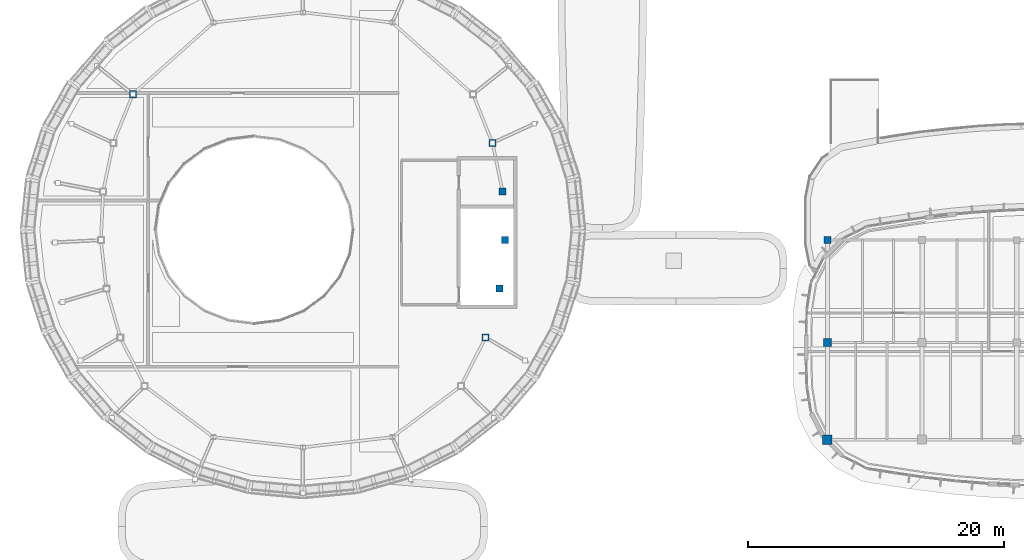
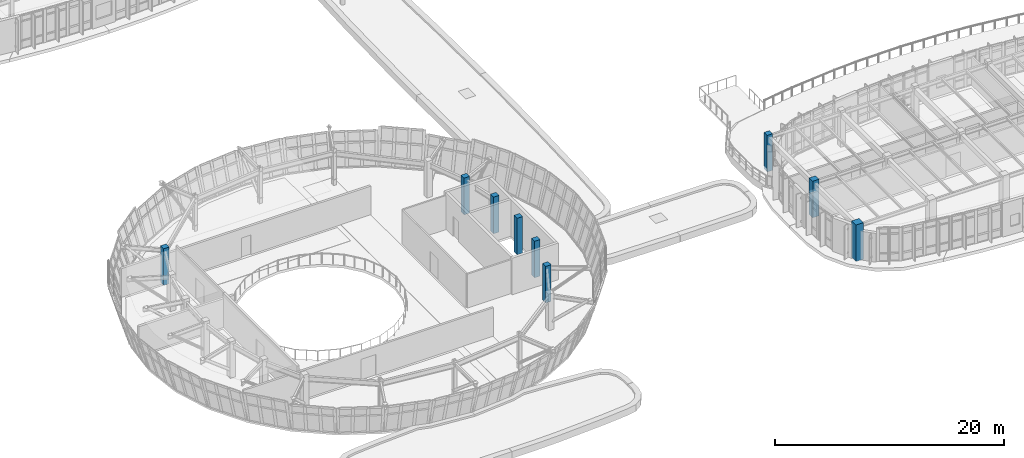
# One storey, part 2 of 111: 9 columns.
"""IFC4 building model written with IfcOpenShell, lengths in metres."""

import ifcopenshell
import ifcopenshell.guid

model = None  # the IFC model being written
_history = None  # IfcOwnerHistory: only IFC2X3 demands one
_inside = {}  # id of a spatial element -> (the spatial element, [elements in it])
_under = {}  # id of a project, library or spatial element -> (it, [spatial elements below it])
_declared = {}  # id of a project -> (the project, [libraries it declares])
_typed = {}  # id of a type object -> (the type object, [elements of that type])
_made_of = {}  # id of a material, layer set ... -> (it, [elements and type objects made of it])


def new_model(schema):
    """Start an empty IFC model of exactly this schema.

    Asked for "IFC4X3", IfcOpenShell would pick the latest addendum, in which some entities
    have other attributes; the version numbers below select the first issue.
    IFC2X3 requires an IfcOwnerHistory on every rooted entity: one is made here for all.
    """
    global model, _history
    if schema == "IFC4X3":
        model = ifcopenshell.file(schema_version=(4, 3, 0, 0))
    else:
        model = ifcopenshell.file(schema=schema)
    _inside.clear()
    _under.clear()
    _declared.clear()
    _typed.clear()
    _made_of.clear()
    _history = None
    if model.schema == "IFC2X3":
        org = make("IfcOrganization", Name="unknown")
        user = make(
            "IfcPersonAndOrganization",
            ThePerson=make("IfcPerson", FamilyName="unknown"),
            TheOrganization=org,
        )
        app = make(
            "IfcApplication",
            ApplicationDeveloper=org,
            Version="unknown",
            ApplicationFullName="unknown",
            ApplicationIdentifier="unknown",
        )
        _history = make(
            "IfcOwnerHistory",
            OwningUser=user,
            OwningApplication=app,
            ChangeAction="ADDED",
            CreationDate=0,
        )
    return model


def make(cls, **values):
    """One entity of the class cls with the attributes given. An attribute that is None is left unset."""
    return model.create_entity(
        cls, **{name: value for name, value in values.items() if value is not None}
    )


def rooted(cls, **values):
    """An entity with a GlobalId (a new one), such as an element, a storey or a relation."""
    return make(cls, GlobalId=ifcopenshell.guid.new(), OwnerHistory=_history, **values)


def si_unit(unit_type, name, prefix=None):
    """IfcSIUnit, for example si_unit("LENGTHUNIT", "METRE", prefix="MILLI")."""
    return make("IfcSIUnit", UnitType=unit_type, Prefix=prefix, Name=name)


def assignment(units):
    """IfcUnitAssignment: the units of a project."""
    return None if units is None else make("IfcUnitAssignment", Units=units)


def point(xyz):
    """IfcCartesianPoint."""
    return None if xyz is None else make("IfcCartesianPoint", Coordinates=xyz)


def direction(xyz):
    """IfcDirection."""
    return None if xyz is None else make("IfcDirection", DirectionRatios=xyz)


def frame(location, z_axis=None, x_axis=None):
    """IfcAxis2Placement3D, a coordinate frame: its origin and axes. An axis left out is left unset."""
    return make(
        "IfcAxis2Placement3D",
        Location=point(location),
        Axis=direction(z_axis),
        RefDirection=direction(x_axis),
    )


def frame_2d(location, x_axis=None):
    """IfcAxis2Placement2D, a coordinate frame in the plane: its origin and x axis."""
    return make(
        "IfcAxis2Placement2D", Location=point(location), RefDirection=direction(x_axis)
    )


def origin():
    """The frame at (0, 0, 0) with its axes left unset."""
    return frame((0.0, 0.0, 0.0))


def origin_2d():
    """The frame at (0, 0) in the plane with its x axis left unset."""
    return frame_2d((0.0, 0.0))


def place(relative_to, where):
    """IfcLocalPlacement: puts the frame where relative to a parent placement (None: the world)."""
    return make(
        "IfcLocalPlacement", PlacementRelTo=relative_to, RelativePlacement=where
    )


def context(
    kind, dimensions, precision=None, world=None, true_north=None, identifier=None
):
    """IfcGeometricRepresentationContext, for example the 3D "Model" context."""
    return make(
        "IfcGeometricRepresentationContext",
        ContextIdentifier=identifier,
        ContextType=kind,
        CoordinateSpaceDimension=dimensions,
        Precision=precision,
        WorldCoordinateSystem=world,
        TrueNorth=true_north,
    )


def subcontext(parent, identifier, kind, view, scale=None):
    """IfcGeometricRepresentationSubContext, for example "Body" below "Model"."""
    return make(
        "IfcGeometricRepresentationSubContext",
        ContextIdentifier=identifier,
        ContextType=kind,
        ParentContext=parent,
        TargetScale=scale,
        TargetView=view,
    )


def project(units=None, contexts=None):
    """IfcProject with its units and contexts."""
    return rooted(
        "IfcProject",
        Name="project",
        RepresentationContexts=contexts,
        UnitsInContext=assignment(units),
    )


def spatial(cls, under=None, at=None, **own):
    """A site, building, storey or space (cls), placed at a placement, below another one or the project."""
    s = rooted(cls, ObjectPlacement=at, **own)
    if under is not None:
        _under.setdefault(under.id(), (under, []))[1].append(s)
    return s


def profile(cls, at=None, kind="AREA", **sizes):
    """A parametric profile (cls). Its sizes go by their IFC names, for example OverallWidth=200.0."""
    return make(cls, ProfileType=kind, Position=at, **sizes)


def rectangle(**sizes):
    """IfcRectangleProfileDef."""
    return profile("IfcRectangleProfileDef", **sizes)


def extrude(swept, where, along, depth):
    """IfcExtrudedAreaSolid: the profile swept, set in the frame where, extruded along a direction by depth."""
    return make(
        "IfcExtrudedAreaSolid",
        SweptArea=swept,
        Position=where,
        ExtrudedDirection=direction(along),
        Depth=depth,
    )


def shape(context_of_items, identifier, shape_type, items):
    """IfcShapeRepresentation: the items that make up one representation, for example the "Body"."""
    return make(
        "IfcShapeRepresentation",
        ContextOfItems=context_of_items,
        RepresentationIdentifier=identifier,
        RepresentationType=shape_type,
        Items=items,
    )


def material(Name=None, Category=None):
    """IfcMaterial."""
    return make("IfcMaterial", Name=Name, Category=Category)


def material_profile(
    of_material, cross_section, Name=None, Category=None, Priority=None
):
    """IfcMaterialProfile: a cross section and its material."""
    return make(
        "IfcMaterialProfile",
        Name=Name,
        Material=of_material,
        Profile=cross_section,
        Priority=Priority,
        Category=Category,
    )


def profile_set(profiles, Name=None, composite=None):
    """IfcMaterialProfileSet."""
    return make(
        "IfcMaterialProfileSet",
        Name=Name,
        MaterialProfiles=profiles,
        CompositeProfile=composite,
    )


def made_of(thing, what):
    """Note that an element or type object is made of a material, layer set ...; save() writes the relation."""
    if what is not None:
        _made_of.setdefault(what.id(), (what, []))[1].append(thing)
    return thing


def type_object(cls, material=None, **own):
    """A type object (cls), such as IfcWallType, which elements share."""
    return made_of(rooted(cls, **own), material)


def element(
    cls,
    number,
    at=None,
    inside=None,
    cuts=None,
    type_object=None,
    material=None,
    context=None,
    identifier="Body",
    shape_type=None,
    held_by="IfcProductDefinitionShape",
    body=None,
    shapes=None,
    **own,
):
    """One element of the class cls, such as IfcWall. Its Tag is "e" and its number.

    at: its placement. inside: the storey or other place that contains it. cuts: it is an
    opening in that element (IfcRelVoidsElement). A single representation is given by context,
    identifier, shape_type and body (its items); several are given by shapes. held_by: the class
    of the entity that holds the representations. save() writes the other relations.
    """
    e = rooted(cls, Tag="e%d" % number, ObjectPlacement=at, **own)
    if body is not None:
        shapes = [shape(context, identifier, shape_type, body)]
    if shapes is not None:
        e.Representation = make(held_by, Representations=shapes)
    if inside is not None:
        _inside.setdefault(inside.id(), (inside, []))[1].append(e)
    if cuts is not None:
        rooted(
            "IfcRelVoidsElement", RelatingBuildingElement=cuts, RelatedOpeningElement=e
        )
    if type_object is not None:
        _typed.setdefault(type_object.id(), (type_object, []))[1].append(e)
    return made_of(e, material)


def aggregate(whole, parts):
    """IfcRelAggregates: a whole, such as a stair, and the parts it consists of."""
    return rooted("IfcRelAggregates", RelatingObject=whole, RelatedObjects=parts)


def save(model, path):
    """Write the relations noted so far, then the file.

    IfcRelAggregates (storeys below a building ...), IfcRelContainedInSpatialStructure (elements
    in a storey), IfcRelDefinesByType, IfcRelAssociatesMaterial and IfcRelDeclares: one each for
    every whole, place, type object, material and project.
    """
    for whole, parts in _under.values():
        aggregate(whole, parts)
    for where, things in _inside.values():
        rooted(
            "IfcRelContainedInSpatialStructure",
            RelatedElements=things,
            RelatingStructure=where,
        )
    for kind, things in _typed.values():
        rooted("IfcRelDefinesByType", RelatedObjects=things, RelatingType=kind)
    for what, things in _made_of.values():
        rooted("IfcRelAssociatesMaterial", RelatedObjects=things, RelatingMaterial=what)
    for by, libraries in _declared.values():
        rooted("IfcRelDeclares", RelatingContext=by, RelatedDefinitions=libraries)
    model.write(path)


model = new_model("IFC4")

# Units and contexts
model_context = context("Model", 3, precision=1e-05, world=origin(), true_north=direction((0.0, 1.0)))
body_context = subcontext(model_context, "Body", "Model", "MODEL_VIEW")
ifc_project = project(units=[si_unit("LENGTHUNIT", "METRE"), si_unit("AREAUNIT", "SQUARE_METRE"), si_unit("VOLUMEUNIT", "CUBIC_METRE"), si_unit("PLANEANGLEUNIT", "RADIAN"), si_unit("MASSUNIT", "GRAM", prefix="KILO")], contexts=[model_context])

# Site, building, storey
site_placement = place(None, origin())
site = spatial("IfcSite", under=ifc_project, at=site_placement, CompositionType="ELEMENT")
building_placement = place(site_placement, origin())
building = spatial("IfcBuilding", under=site, at=building_placement, Name="Corveleigh Park Community Centre", CompositionType="ELEMENT")
storey_placement = place(building_placement, frame((0.0, 0.0, 4.800048828125)))
storey = spatial("IfcBuildingStorey", under=building, at=storey_placement, Name="L01", CompositionType="ELEMENT", Elevation=4.800048828125)

# Columns
ifc_material = material(Name="Concrete C40/50", Category="concrete")
ifc_material_profile_1 = material_profile(ifc_material, rectangle(XDim=0.550048828125, YDim=0.550048828125, at=origin_2d()), Name="RC-550x550", Category="concrete")
ifc_profile_set_1 = profile_set([ifc_material_profile_1], Name="Concrete C40/50")
column_type_1 = type_object("IfcColumnType", Name="COL-RC-550x550", PredefinedType="COLUMN", material=ifc_profile_set_1)
for number, where, z_axis, x_axis, name in (
    (1, (45.27490234375, 19.199951171875, 0.0), (0.0, 0.0, 1.0), (1.0, 0.0, 0.0), "Column V1-E2 L01"),
    (2, (46.35888671875, 23.0, 0.0), (0.0, 0.0, 1.0), (1.0, 0.0, 0.0), "Column V1-E3 L01"),
    (3, (46.787109375, 26.800048828125, 0.0), (0.0, 0.0, 1.0), (1.0, 0.0, 0.0), "Column V1-E4 L01"),
    (4, (46.614013671875, 30.60009765625, 0.0), (0.0, 0.0, 1.0), (1.0, 0.0, 0.0), "Column V1-E5 L01"),
    (5, (45.819091796875, 34.39990234375, 0.0), (0.0, 0.0, 1.0), (1.0, 0.0, 0.0), "Column V1-E6 L01"),
    (6, (17.7099609375, 38.199951171875, 0.0), (0.0, 0.0, 1.0), (1.0, 0.0, 0.0), "Column V1-W7 L01"),
    (7, (72.0, 26.800048828125, 0.0), (0.0, 0.0, 1.0), (1.0, 0.0, 0.0), "Column V3-X0Y2 L01"),
):
    element("IfcColumn", number, at=place(storey_placement, frame(where, z_axis=z_axis, x_axis=x_axis)), inside=storey, type_object=column_type_1, Name=name, PredefinedType="COLUMN", context=body_context, shape_type="SweptSolid", body=[
        extrude(rectangle(XDim=0.550048828125, YDim=0.550048828125, at=origin_2d()), origin(), (0.0, 0.0, 1.0), 3.89990234375),
    ])
ifc_material_profile_2 = material_profile(ifc_material, rectangle(XDim=0.625, YDim=0.625, at=origin_2d()), Name="RC-625x625", Category="concrete")
ifc_profile_set_2 = profile_set([ifc_material_profile_2], Name="Concrete C40/50")
column_type_2 = type_object("IfcColumnType", Name="COL-RC-625x625", PredefinedType="COLUMN", material=ifc_profile_set_2)
column_1_placement = place(storey_placement, frame((72.0, 18.800048828125, 0.0), z_axis=(0.0, 0.0, 1.0), x_axis=(1.0, 0.0, 0.0)))
element("IfcColumn", 8, at=column_1_placement, inside=storey, type_object=column_type_2, Name="Column V3-X0Y1 L01", PredefinedType="COLUMN", context=body_context, shape_type="SweptSolid", body=[
    extrude(rectangle(XDim=0.625, YDim=0.625, at=origin_2d()), origin(), (0.0, 0.0, 1.0), 3.89990234375),
])
ifc_material_profile_3 = material_profile(ifc_material, rectangle(XDim=0.75, YDim=0.75, at=origin_2d()), Name="RC-750x750", Category="concrete")
ifc_profile_set_3 = profile_set([ifc_material_profile_3], Name="Concrete C40/50")
column_type_3 = type_object("IfcColumnType", Name="COL-RC-750x750", PredefinedType="COLUMN", material=ifc_profile_set_3)
column_2_placement = place(storey_placement, frame((72.0, 11.199951171875, 0.0), z_axis=(0.0, 0.0, 1.0), x_axis=(1.0, 0.0, 0.0)))
element("IfcColumn", 9, at=column_2_placement, inside=storey, type_object=column_type_3, Name="Column V3-X0Y0 L01", PredefinedType="COLUMN", context=body_context, shape_type="SweptSolid", body=[
    extrude(rectangle(XDim=0.75, YDim=0.75, at=origin_2d()), origin(), (0.0, 0.0, 1.0), 3.89990234375),
])

save(model, "model.ifc")
